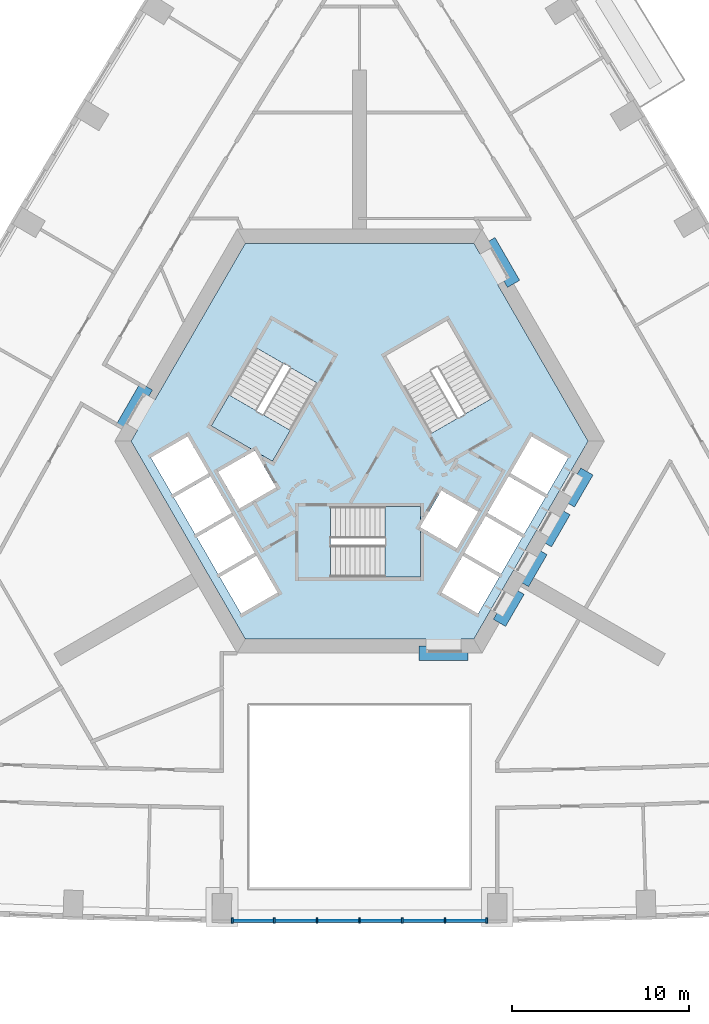
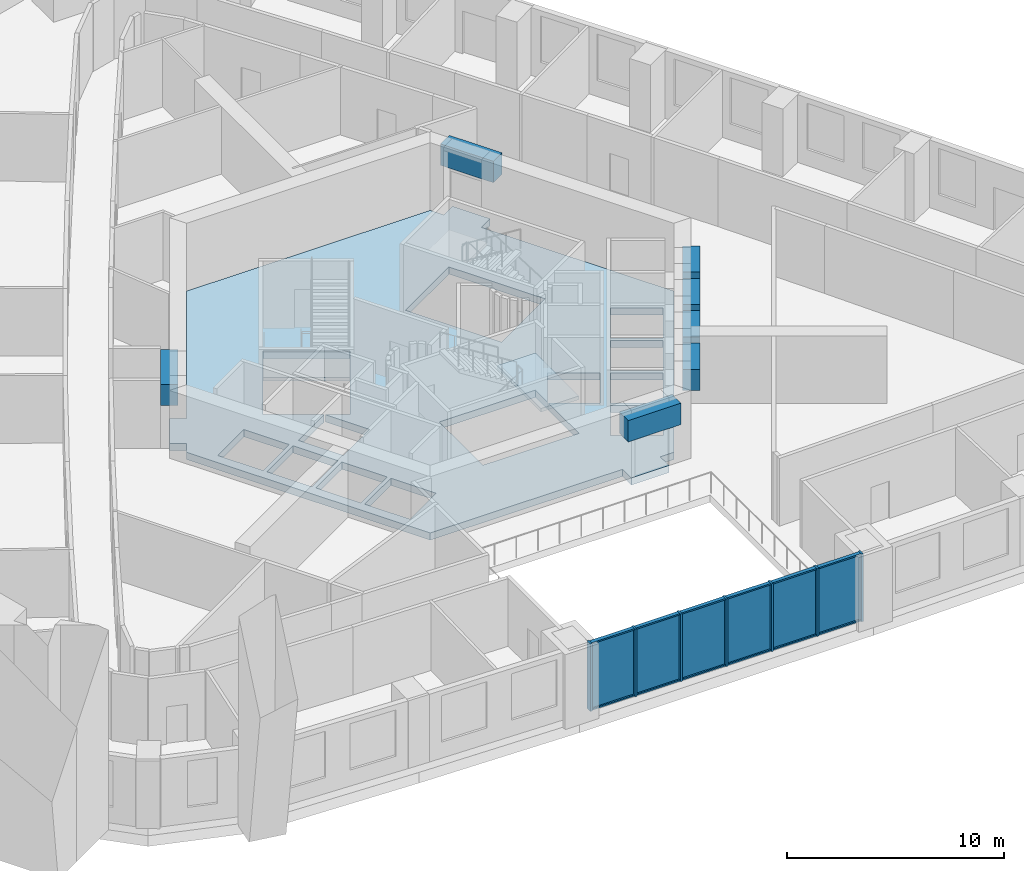
# One storey, part 2 of 15: 19 members, 7 beams, 6 plates, 3 slabs, 3 elements without a shape of their own.
"""IFC4 building model written with IfcOpenShell, lengths in metres."""

import ifcopenshell
import ifcopenshell.guid

model = None  # the IFC model being written
_history = None  # IfcOwnerHistory: only IFC2X3 demands one
_inside = {}  # id of a spatial element -> (the spatial element, [elements in it])
_under = {}  # id of a project, library or spatial element -> (it, [spatial elements below it])
_declared = {}  # id of a project -> (the project, [libraries it declares])
_typed = {}  # id of a type object -> (the type object, [elements of that type])
_made_of = {}  # id of a material, layer set ... -> (it, [elements and type objects made of it])


def new_model(schema):
    """Start an empty IFC model of exactly this schema.

    Asked for "IFC4X3", IfcOpenShell would pick the latest addendum, in which some entities
    have other attributes; the version numbers below select the first issue.
    IFC2X3 requires an IfcOwnerHistory on every rooted entity: one is made here for all.
    """
    global model, _history
    if schema == "IFC4X3":
        model = ifcopenshell.file(schema_version=(4, 3, 0, 0))
    else:
        model = ifcopenshell.file(schema=schema)
    _inside.clear()
    _under.clear()
    _declared.clear()
    _typed.clear()
    _made_of.clear()
    _history = None
    if model.schema == "IFC2X3":
        org = make("IfcOrganization", Name="unknown")
        user = make(
            "IfcPersonAndOrganization",
            ThePerson=make("IfcPerson", FamilyName="unknown"),
            TheOrganization=org,
        )
        app = make(
            "IfcApplication",
            ApplicationDeveloper=org,
            Version="unknown",
            ApplicationFullName="unknown",
            ApplicationIdentifier="unknown",
        )
        _history = make(
            "IfcOwnerHistory",
            OwningUser=user,
            OwningApplication=app,
            ChangeAction="ADDED",
            CreationDate=0,
        )
    return model


def make(cls, **values):
    """One entity of the class cls with the attributes given. An attribute that is None is left unset."""
    return model.create_entity(
        cls, **{name: value for name, value in values.items() if value is not None}
    )


def rooted(cls, **values):
    """An entity with a GlobalId (a new one), such as an element, a storey or a relation."""
    return make(cls, GlobalId=ifcopenshell.guid.new(), OwnerHistory=_history, **values)


def si_unit(unit_type, name, prefix=None):
    """IfcSIUnit, for example si_unit("LENGTHUNIT", "METRE", prefix="MILLI")."""
    return make("IfcSIUnit", UnitType=unit_type, Prefix=prefix, Name=name)


def assignment(units):
    """IfcUnitAssignment: the units of a project."""
    return None if units is None else make("IfcUnitAssignment", Units=units)


def point(xyz):
    """IfcCartesianPoint."""
    return None if xyz is None else make("IfcCartesianPoint", Coordinates=xyz)


def direction(xyz):
    """IfcDirection."""
    return None if xyz is None else make("IfcDirection", DirectionRatios=xyz)


def frame(location, z_axis=None, x_axis=None):
    """IfcAxis2Placement3D, a coordinate frame: its origin and axes. An axis left out is left unset."""
    return make(
        "IfcAxis2Placement3D",
        Location=point(location),
        Axis=direction(z_axis),
        RefDirection=direction(x_axis),
    )


def frame_2d(location, x_axis=None):
    """IfcAxis2Placement2D, a coordinate frame in the plane: its origin and x axis."""
    return make(
        "IfcAxis2Placement2D", Location=point(location), RefDirection=direction(x_axis)
    )


def origin():
    """The frame at (0, 0, 0) with its axes left unset."""
    return frame((0.0, 0.0, 0.0))


def origin_2d():
    """The frame at (0, 0) in the plane with its x axis left unset."""
    return frame_2d((0.0, 0.0))


def place(relative_to, where):
    """IfcLocalPlacement: puts the frame where relative to a parent placement (None: the world)."""
    return make(
        "IfcLocalPlacement", PlacementRelTo=relative_to, RelativePlacement=where
    )


def context(
    kind, dimensions, precision=None, world=None, true_north=None, identifier=None
):
    """IfcGeometricRepresentationContext, for example the 3D "Model" context."""
    return make(
        "IfcGeometricRepresentationContext",
        ContextIdentifier=identifier,
        ContextType=kind,
        CoordinateSpaceDimension=dimensions,
        Precision=precision,
        WorldCoordinateSystem=world,
        TrueNorth=true_north,
    )


def subcontext(parent, identifier, kind, view, scale=None):
    """IfcGeometricRepresentationSubContext, for example "Body" below "Model"."""
    return make(
        "IfcGeometricRepresentationSubContext",
        ContextIdentifier=identifier,
        ContextType=kind,
        ParentContext=parent,
        TargetScale=scale,
        TargetView=view,
    )


def project(units=None, contexts=None):
    """IfcProject with its units and contexts."""
    return rooted(
        "IfcProject",
        Name="project",
        RepresentationContexts=contexts,
        UnitsInContext=assignment(units),
    )


def spatial(cls, under=None, at=None, **own):
    """A site, building, storey or space (cls), placed at a placement, below another one or the project."""
    s = rooted(cls, ObjectPlacement=at, **own)
    if under is not None:
        _under.setdefault(under.id(), (under, []))[1].append(s)
    return s


def polyline(points):
    """IfcPolyline through the points."""
    return make("IfcPolyline", Points=[point(p) for p in points])


def profile(cls, at=None, kind="AREA", **sizes):
    """A parametric profile (cls). Its sizes go by their IFC names, for example OverallWidth=200.0."""
    return make(cls, ProfileType=kind, Position=at, **sizes)


def rectangle(**sizes):
    """IfcRectangleProfileDef."""
    return profile("IfcRectangleProfileDef", **sizes)


def outline(outer, holes=None, kind="AREA"):
    """IfcArbitraryClosedProfileDef: a profile drawn as a closed curve; with holes, ...WithVoids."""
    if holes is None:
        return make("IfcArbitraryClosedProfileDef", ProfileType=kind, OuterCurve=outer)
    return make(
        "IfcArbitraryProfileDefWithVoids",
        ProfileType=kind,
        OuterCurve=outer,
        InnerCurves=holes,
    )


def extrude(swept, where, along, depth):
    """IfcExtrudedAreaSolid: the profile swept, set in the frame where, extruded along a direction by depth."""
    return make(
        "IfcExtrudedAreaSolid",
        SweptArea=swept,
        Position=where,
        ExtrudedDirection=direction(along),
        Depth=depth,
    )


def shape(context_of_items, identifier, shape_type, items):
    """IfcShapeRepresentation: the items that make up one representation, for example the "Body"."""
    return make(
        "IfcShapeRepresentation",
        ContextOfItems=context_of_items,
        RepresentationIdentifier=identifier,
        RepresentationType=shape_type,
        Items=items,
    )


def material(Name=None, Category=None):
    """IfcMaterial."""
    return make("IfcMaterial", Name=Name, Category=Category)


def layer(
    of_material, thickness, ventilated=None, Name=None, Category=None, Priority=None
):
    """IfcMaterialLayer: one layer of a wall or slab, of a material (None: an air gap)."""
    return make(
        "IfcMaterialLayer",
        Material=of_material,
        LayerThickness=thickness,
        IsVentilated=ventilated,
        Name=Name,
        Category=Category,
        Priority=Priority,
    )


def layer_set(layers, Name=None):
    """IfcMaterialLayerSet."""
    return make("IfcMaterialLayerSet", MaterialLayers=layers, LayerSetName=Name)


def material_profile(
    of_material, cross_section, Name=None, Category=None, Priority=None
):
    """IfcMaterialProfile: a cross section and its material."""
    return make(
        "IfcMaterialProfile",
        Name=Name,
        Material=of_material,
        Profile=cross_section,
        Priority=Priority,
        Category=Category,
    )


def profile_set(profiles, Name=None, composite=None):
    """IfcMaterialProfileSet."""
    return make(
        "IfcMaterialProfileSet",
        Name=Name,
        MaterialProfiles=profiles,
        CompositeProfile=composite,
    )


def made_of(thing, what):
    """Note that an element or type object is made of a material, layer set ...; save() writes the relation."""
    if what is not None:
        _made_of.setdefault(what.id(), (what, []))[1].append(thing)
    return thing


def type_object(cls, material=None, **own):
    """A type object (cls), such as IfcWallType, which elements share."""
    return made_of(rooted(cls, **own), material)


def element(
    cls,
    number,
    at=None,
    inside=None,
    cuts=None,
    type_object=None,
    material=None,
    context=None,
    identifier="Body",
    shape_type=None,
    held_by="IfcProductDefinitionShape",
    body=None,
    shapes=None,
    **own,
):
    """One element of the class cls, such as IfcWall. Its Tag is "e" and its number.

    at: its placement. inside: the storey or other place that contains it. cuts: it is an
    opening in that element (IfcRelVoidsElement). A single representation is given by context,
    identifier, shape_type and body (its items); several are given by shapes. held_by: the class
    of the entity that holds the representations. save() writes the other relations.
    """
    e = rooted(cls, Tag="e%d" % number, ObjectPlacement=at, **own)
    if body is not None:
        shapes = [shape(context, identifier, shape_type, body)]
    if shapes is not None:
        e.Representation = make(held_by, Representations=shapes)
    if inside is not None:
        _inside.setdefault(inside.id(), (inside, []))[1].append(e)
    if cuts is not None:
        rooted(
            "IfcRelVoidsElement", RelatingBuildingElement=cuts, RelatedOpeningElement=e
        )
    if type_object is not None:
        _typed.setdefault(type_object.id(), (type_object, []))[1].append(e)
    return made_of(e, material)


def aggregate(whole, parts):
    """IfcRelAggregates: a whole, such as a stair, and the parts it consists of."""
    return rooted("IfcRelAggregates", RelatingObject=whole, RelatedObjects=parts)


def save(model, path):
    """Write the relations noted so far, then the file.

    IfcRelAggregates (storeys below a building ...), IfcRelContainedInSpatialStructure (elements
    in a storey), IfcRelDefinesByType, IfcRelAssociatesMaterial and IfcRelDeclares: one each for
    every whole, place, type object, material and project.
    """
    for whole, parts in _under.values():
        aggregate(whole, parts)
    for where, things in _inside.values():
        rooted(
            "IfcRelContainedInSpatialStructure",
            RelatedElements=things,
            RelatingStructure=where,
        )
    for kind, things in _typed.values():
        rooted("IfcRelDefinesByType", RelatedObjects=things, RelatingType=kind)
    for what, things in _made_of.values():
        rooted("IfcRelAssociatesMaterial", RelatedObjects=things, RelatingMaterial=what)
    for by, libraries in _declared.values():
        rooted("IfcRelDeclares", RelatingContext=by, RelatedDefinitions=libraries)
    model.write(path)


model = new_model("IFC4")

# Units and contexts
model_context = context("Model", 3, precision=1e-05, world=origin(), true_north=direction((0.0, 1.0)))
body_context = subcontext(model_context, "Body", "Model", "MODEL_VIEW")
ifc_project = project(units=[si_unit("LENGTHUNIT", "METRE"), si_unit("AREAUNIT", "SQUARE_METRE"), si_unit("VOLUMEUNIT", "CUBIC_METRE"), si_unit("PLANEANGLEUNIT", "RADIAN"), si_unit("MASSUNIT", "GRAM", prefix="KILO")], contexts=[model_context])

# Site, building, storey
site_placement = place(None, origin())
site = spatial("IfcSite", under=ifc_project, at=site_placement, CompositionType="ELEMENT")
building_placement = place(site_placement, origin())
building = spatial("IfcBuilding", under=site, at=building_placement, Name="Entoto Arch Interchange Tower", CompositionType="ELEMENT")
storey_placement = place(building_placement, frame((0.0, 0.0, 150.800048828125)))
storey = spatial("IfcBuildingStorey", under=building, at=storey_placement, Name="L33", CompositionType="ELEMENT", Elevation=150.800048828125)

# Beams
ifc_material_1 = material(Name="Concrete C50/60", Category="concrete")
ifc_material_profile_1 = material_profile(ifc_material_1, rectangle(XDim=0.800048828125, YDim=1.199951171875, at=origin_2d()))
ifc_profile_set_1 = profile_set([ifc_material_profile_1], Name="Concrete C50/60")
beam_type = type_object("IfcBeamType", Name="Coupling beam RC 800x1200 C50/60", PredefinedType="BEAM", material=ifc_profile_set_1)
for number, where, z_axis, x_axis, name in (
    (1, (8.717041015625, 11.402099609375, 3.0), (-0.500200581029, 0.865909567298, 0.0), (-0.865909567298, -0.500200581029, 0.0), "Coupling beam NE L33"),
    (2, (-12.06689453125, 5.597900390625, 3.0), (-0.500200581029, -0.865909567298, 0.0), (0.865909567298, -0.500200581029, 0.0), "Coupling beam NW L33"),
):
    element("IfcBeam", number, at=place(storey_placement, frame(where, z_axis=z_axis, x_axis=x_axis)), inside=storey, type_object=beam_type, Name=name, PredefinedType="BEAM", context=body_context, shape_type="SweptSolid", body=[
        extrude(rectangle(XDim=0.800048828125, YDim=1.199951171875, at=origin_2d()), origin(), (0.0, 0.0, 1.0), 2.799072265625),
    ])
beam_1_placement = place(storey_placement, frame((3.35009765625, -9.5, 3.0), z_axis=(1.0, 0.0, 0.0), x_axis=(0.0, 1.0, 0.0)))
element("IfcBeam", 3, at=beam_1_placement, inside=storey, type_object=beam_type, Name="Coupling beam S L33", PredefinedType="BEAM", context=body_context, shape_type="SweptSolid", body=[
    extrude(rectangle(XDim=0.800048828125, YDim=1.199951171875, at=origin_2d()), origin(), (0.0, 0.0, 1.0), 2.7998046875),
])
for number, where, z_axis, x_axis, name in (
    (4, (7.9169921875, -7.785888671875, 3.0), (0.500178781653, 0.865922159541, 0.0), (-0.865922159541, 0.500178781653, 0.0), "Coupling beam SE L33"),
    (5, (9.217041015625, -5.534912109375, 3.0), (0.500178781653, 0.865922159541, 0.0), (-0.865922159541, 0.500178781653, 0.0), "Coupling beam SE L33"),
):
    element("IfcBeam", number, at=place(storey_placement, frame(where, z_axis=z_axis, x_axis=x_axis)), inside=storey, type_object=beam_type, Name=name, PredefinedType="BEAM", context=body_context, shape_type="SweptSolid", body=[
        extrude(rectangle(XDim=0.800048828125, YDim=1.199951171875, at=origin_2d()), origin(), (0.0, 0.0, 1.0), 2.099365234375),
    ])
beam_2_placement = place(storey_placement, frame((10.51708984375, -3.282958984375, 3.0), z_axis=(0.500091574638, 0.865972526687, 0.0), x_axis=(-0.865972526687, 0.500091574638, 0.0)))
element("IfcBeam", 6, at=beam_2_placement, inside=storey, type_object=beam_type, Name="Coupling beam SE L33", PredefinedType="BEAM", context=body_context, shape_type="SweptSolid", body=[
    extrude(rectangle(XDim=0.800048828125, YDim=1.199951171875, at=origin_2d()), origin(), (0.0, 0.0, 1.0), 2.09912109375),
])
beam_3_placement = place(storey_placement, frame((11.81689453125, -1.031982421875, 3.0), z_axis=(0.500178781653, 0.865922159541, 0.0), x_axis=(-0.865922159541, 0.500178781653, 0.0)))
element("IfcBeam", 7, at=beam_3_placement, inside=storey, type_object=beam_type, Name="Coupling beam SE L33", PredefinedType="BEAM", context=body_context, shape_type="SweptSolid", body=[
    extrude(rectangle(XDim=0.800048828125, YDim=1.199951171875, at=origin_2d()), origin(), (0.0, 0.0, 1.0), 2.099365234375),
])

# Curtain wall, members
ifc_material_2 = material(Name="Aluminium, anodised", Category="aluminium")
curtain_wall_type = type_object("IfcCurtainWallType", Name="CURTAIN WALL ATRIUM", PredefinedType="NOTDEFINED", material=ifc_material_2)
curtain_wall_placement = place(storey_placement, origin())
curtain_wall = element("IfcCurtainWall", 8, at=curtain_wall_placement, inside=storey, type_object=curtain_wall_type, Name="Atrium glazing S-03 L33", PredefinedType="NOTDEFINED")
ifc_material_profile_2 = material_profile(ifc_material_2, rectangle(XDim=0.300048828125, YDim=0.10009765625, at=origin_2d()))
ifc_profile_set_2 = profile_set([ifc_material_profile_2], Name="Aluminium, anodised")
member_type_1 = type_object("IfcMemberType", Name="MULLION ATRIUM 100x300", PredefinedType="MULLION", material=ifc_profile_set_2)
member_1_placement = place(storey_placement, frame((-7.198974609375, -24.632080078125, 0.0), z_axis=(0.0, 0.0, 1.0), x_axis=(0.0, 1.0, 0.0)))
member_1 = element("IfcMember", 9, at=member_1_placement, type_object=member_type_1, Name="CWA mullion 1", PredefinedType="MULLION", context=body_context, shape_type="SweptSolid", body=[
    extrude(rectangle(XDim=0.300048828125, YDim=0.10009765625, at=origin_2d()), origin(), (0.0, 0.0, 1.0), 3.800048828125),
])
member_2_placement = place(storey_placement, frame((-4.832763671875, -24.632080078125, 0.0), z_axis=(0.0, 0.0, 1.0), x_axis=(0.0, 1.0, 0.0)))
member_2 = element("IfcMember", 10, at=member_2_placement, type_object=member_type_1, Name="CWA mullion 2", PredefinedType="MULLION", context=body_context, shape_type="SweptSolid", body=[
    extrude(rectangle(XDim=0.300048828125, YDim=0.10009765625, at=origin_2d()), origin(), (0.0, 0.0, 1.0), 3.800048828125),
])
member_3_placement = place(storey_placement, frame((-2.416259765625, -24.632080078125, 0.0), z_axis=(0.0, 0.0, 1.0), x_axis=(0.0, 1.0, 0.0)))
member_3 = element("IfcMember", 11, at=member_3_placement, type_object=member_type_1, Name="CWA mullion 3", PredefinedType="MULLION", context=body_context, shape_type="SweptSolid", body=[
    extrude(rectangle(XDim=0.300048828125, YDim=0.10009765625, at=origin_2d()), origin(), (0.0, 0.0, 1.0), 3.800048828125),
])
member_4_placement = place(storey_placement, frame((0.0, -24.632080078125, 0.0), z_axis=(0.0, 0.0, 1.0), x_axis=(0.0, 1.0, 0.0)))
member_4 = element("IfcMember", 12, at=member_4_placement, type_object=member_type_1, Name="CWA mullion 4", PredefinedType="MULLION", context=body_context, shape_type="SweptSolid", body=[
    extrude(rectangle(XDim=0.300048828125, YDim=0.10009765625, at=origin_2d()), origin(), (0.0, 0.0, 1.0), 3.800048828125),
])
member_5_placement = place(storey_placement, frame((2.416259765625, -24.632080078125, 0.0), z_axis=(0.0, 0.0, 1.0), x_axis=(0.0, 1.0, 0.0)))
member_5 = element("IfcMember", 13, at=member_5_placement, type_object=member_type_1, Name="CWA mullion 5", PredefinedType="MULLION", context=body_context, shape_type="SweptSolid", body=[
    extrude(rectangle(XDim=0.300048828125, YDim=0.10009765625, at=origin_2d()), origin(), (0.0, 0.0, 1.0), 3.800048828125),
])
member_6_placement = place(storey_placement, frame((4.832763671875, -24.632080078125, 0.0), z_axis=(0.0, 0.0, 1.0), x_axis=(0.0, 1.0, 0.0)))
member_6 = element("IfcMember", 14, at=member_6_placement, type_object=member_type_1, Name="CWA mullion 6", PredefinedType="MULLION", context=body_context, shape_type="SweptSolid", body=[
    extrude(rectangle(XDim=0.300048828125, YDim=0.10009765625, at=origin_2d()), origin(), (0.0, 0.0, 1.0), 3.800048828125),
])
member_7_placement = place(storey_placement, frame((7.198974609375, -24.632080078125, 0.0), z_axis=(0.0, 0.0, 1.0), x_axis=(0.0, 1.0, 0.0)))
member_7 = element("IfcMember", 15, at=member_7_placement, type_object=member_type_1, Name="CWA mullion 7", PredefinedType="MULLION", context=body_context, shape_type="SweptSolid", body=[
    extrude(rectangle(XDim=0.300048828125, YDim=0.10009765625, at=origin_2d()), origin(), (0.0, 0.0, 1.0), 3.800048828125),
])
ifc_material_profile_3 = material_profile(ifc_material_2, rectangle(XDim=0.199951171875, YDim=0.080078125, at=origin_2d()))
ifc_profile_set_3 = profile_set([ifc_material_profile_3], Name="Aluminium, anodised")
member_type_2 = type_object("IfcMemberType", Name="TRANSOM ATRIUM 80x200", PredefinedType="USERDEFINED", material=ifc_profile_set_3)
member_8_placement = place(storey_placement, frame((-7.14892578125, -24.632080078125, 0.0400390625), z_axis=(1.0, 0.0, 0.0), x_axis=(0.0, 1.0, 0.0)))
member_8 = element("IfcMember", 16, at=member_8_placement, type_object=member_type_2, Name="CWA transom 1.1", ObjectType="TRANSOM", PredefinedType="USERDEFINED", context=body_context, shape_type="SweptSolid", body=[
    extrude(rectangle(XDim=0.199951171875, YDim=0.080078125, at=origin_2d()), origin(), (0.0, 0.0, 1.0), 2.266357421875),
])
member_9_placement = place(storey_placement, frame((-7.14892578125, -24.632080078125, 3.760009765625), z_axis=(1.0, 0.0, 0.0), x_axis=(0.0, 1.0, 0.0)))
member_9 = element("IfcMember", 17, at=member_9_placement, type_object=member_type_2, Name="CWA transom 1.2", ObjectType="TRANSOM", PredefinedType="USERDEFINED", context=body_context, shape_type="SweptSolid", body=[
    extrude(rectangle(XDim=0.199951171875, YDim=0.080078125, at=origin_2d()), origin(), (0.0, 0.0, 1.0), 2.266357421875),
])
member_10_placement = place(storey_placement, frame((-4.78271484375, -24.632080078125, 0.0400390625), z_axis=(1.0, 0.0, 0.0), x_axis=(0.0, 1.0, 0.0)))
member_10 = element("IfcMember", 18, at=member_10_placement, type_object=member_type_2, Name="CWA transom 2.1", ObjectType="TRANSOM", PredefinedType="USERDEFINED", context=body_context, shape_type="SweptSolid", body=[
    extrude(rectangle(XDim=0.199951171875, YDim=0.080078125, at=origin_2d()), origin(), (0.0, 0.0, 1.0), 2.31640625),
])
member_11_placement = place(storey_placement, frame((-4.78271484375, -24.632080078125, 3.760009765625), z_axis=(1.0, 0.0, 0.0), x_axis=(0.0, 1.0, 0.0)))
member_11 = element("IfcMember", 19, at=member_11_placement, type_object=member_type_2, Name="CWA transom 2.2", ObjectType="TRANSOM", PredefinedType="USERDEFINED", context=body_context, shape_type="SweptSolid", body=[
    extrude(rectangle(XDim=0.199951171875, YDim=0.080078125, at=origin_2d()), origin(), (0.0, 0.0, 1.0), 2.31640625),
])
member_12_placement = place(storey_placement, frame((-2.366455078125, -24.632080078125, 0.0400390625), z_axis=(1.0, 0.0, 0.0), x_axis=(0.0, 1.0, 0.0)))
member_12 = element("IfcMember", 20, at=member_12_placement, type_object=member_type_2, Name="CWA transom 3.1", ObjectType="TRANSOM", PredefinedType="USERDEFINED", context=body_context, shape_type="SweptSolid", body=[
    extrude(rectangle(XDim=0.199951171875, YDim=0.080078125, at=origin_2d()), origin(), (0.0, 0.0, 1.0), 2.31640625),
])
member_13_placement = place(storey_placement, frame((-2.366455078125, -24.632080078125, 3.760009765625), z_axis=(1.0, 0.0, 0.0), x_axis=(0.0, 1.0, 0.0)))
member_13 = element("IfcMember", 21, at=member_13_placement, type_object=member_type_2, Name="CWA transom 3.2", ObjectType="TRANSOM", PredefinedType="USERDEFINED", context=body_context, shape_type="SweptSolid", body=[
    extrude(rectangle(XDim=0.199951171875, YDim=0.080078125, at=origin_2d()), origin(), (0.0, 0.0, 1.0), 2.31640625),
])
member_14_placement = place(storey_placement, frame((0.050048828125, -24.632080078125, 0.0400390625), z_axis=(1.0, 0.0, 0.0), x_axis=(0.0, 1.0, 0.0)))
member_14 = element("IfcMember", 22, at=member_14_placement, type_object=member_type_2, Name="CWA transom 4.1", ObjectType="TRANSOM", PredefinedType="USERDEFINED", context=body_context, shape_type="SweptSolid", body=[
    extrude(rectangle(XDim=0.199951171875, YDim=0.080078125, at=origin_2d()), origin(), (0.0, 0.0, 1.0), 2.31640625),
])
member_15_placement = place(storey_placement, frame((0.050048828125, -24.632080078125, 3.760009765625), z_axis=(1.0, 0.0, 0.0), x_axis=(0.0, 1.0, 0.0)))
member_15 = element("IfcMember", 23, at=member_15_placement, type_object=member_type_2, Name="CWA transom 4.2", ObjectType="TRANSOM", PredefinedType="USERDEFINED", context=body_context, shape_type="SweptSolid", body=[
    extrude(rectangle(XDim=0.199951171875, YDim=0.080078125, at=origin_2d()), origin(), (0.0, 0.0, 1.0), 2.31640625),
])
member_16_placement = place(storey_placement, frame((2.46630859375, -24.632080078125, 0.0400390625), z_axis=(1.0, 0.0, 0.0), x_axis=(0.0, 1.0, 0.0)))
member_16 = element("IfcMember", 24, at=member_16_placement, type_object=member_type_2, Name="CWA transom 5.1", ObjectType="TRANSOM", PredefinedType="USERDEFINED", context=body_context, shape_type="SweptSolid", body=[
    extrude(rectangle(XDim=0.199951171875, YDim=0.080078125, at=origin_2d()), origin(), (0.0, 0.0, 1.0), 2.31640625),
])
member_17_placement = place(storey_placement, frame((2.46630859375, -24.632080078125, 3.760009765625), z_axis=(1.0, 0.0, 0.0), x_axis=(0.0, 1.0, 0.0)))
member_17 = element("IfcMember", 25, at=member_17_placement, type_object=member_type_2, Name="CWA transom 5.2", ObjectType="TRANSOM", PredefinedType="USERDEFINED", context=body_context, shape_type="SweptSolid", body=[
    extrude(rectangle(XDim=0.199951171875, YDim=0.080078125, at=origin_2d()), origin(), (0.0, 0.0, 1.0), 2.31640625),
])
member_18_placement = place(storey_placement, frame((4.882568359375, -24.632080078125, 0.0400390625), z_axis=(1.0, 0.0, 0.0), x_axis=(0.0, 1.0, 0.0)))
member_18 = element("IfcMember", 26, at=member_18_placement, type_object=member_type_2, Name="CWA transom 6.1", ObjectType="TRANSOM", PredefinedType="USERDEFINED", context=body_context, shape_type="SweptSolid", body=[
    extrude(rectangle(XDim=0.199951171875, YDim=0.080078125, at=origin_2d()), origin(), (0.0, 0.0, 1.0), 2.266357421875),
])
member_19_placement = place(storey_placement, frame((4.882568359375, -24.632080078125, 3.760009765625), z_axis=(1.0, 0.0, 0.0), x_axis=(0.0, 1.0, 0.0)))
member_19 = element("IfcMember", 27, at=member_19_placement, type_object=member_type_2, Name="CWA transom 6.2", ObjectType="TRANSOM", PredefinedType="USERDEFINED", context=body_context, shape_type="SweptSolid", body=[
    extrude(rectangle(XDim=0.199951171875, YDim=0.080078125, at=origin_2d()), origin(), (0.0, 0.0, 1.0), 2.266357421875),
])

# Slab
ifc_material_3 = material(Name="Concrete C40/50", Category="concrete")
ifc_layer_1 = layer(ifc_material_3, 0.39990234375)
ifc_layer_set_1 = layer_set([ifc_layer_1], Name="Concrete C40/50")
slab_type_1 = type_object("IfcSlabType", Name="Core floor slab 400 C40/50", PredefinedType="FLOOR", material=ifc_layer_set_1)
slab_1_placement = place(storey_placement, frame((0.0, 0.0, -0.400146484375)))
element("IfcSlab", 28, at=slab_1_placement, inside=storey, type_object=slab_type_1, Name="Core floor slab L33", PredefinedType="FLOOR", context=body_context, shape_type="SweptSolid", body=[
    extrude(outline(polyline([(5.75, -9.5), (3.75, -9.5), (3.75, -8.699951171875), (-6.466064453125, -8.699951171875), (-12.93310546875, 2.5), (-12.574951171875, 3.1201171875), (-13.26708984375, 3.52001953125), (-12.26708984375, 5.251953125), (-11.574951171875, 4.85205078125), (-6.466064453125, 13.699951171875), (6.466064453125, 13.699951171875), (6.823974609375, 13.080078125), (7.51708984375, 13.47998046875), (8.51708984375, 11.748046875), (7.823974609375, 11.347900390625), (12.93310546875, 2.5), (6.466064453125, -8.699951171875), (5.75, -8.699951171875), (5.75, -9.5)]), holes=[polyline([(-5.837890625, -3.988037109375), (-7.916015625, -5.18798828125), (-6.716064453125, -7.26708984375), (-4.637939453125, -6.06689453125), (-5.837890625, -3.988037109375)]), polyline([(-5.93798828125, -3.81494140625), (-7.137939453125, -1.737060546875), (-9.216064453125, -2.93701171875), (-8.01611328125, -5.014892578125), (-5.93798828125, -3.81494140625)]), polyline([(5.5048828125, -3.56494140625), (6.705078125, -1.487060546875), (4.626953125, -0.287109375), (3.449951171875, -2.324951171875), (3.449951171875, -1.199951171875), (-1.64990234375, -1.199951171875), (-1.64990234375, -5.199951171875), (3.449951171875, -5.199951171875), (3.449951171875, -2.3779296875), (5.5048828125, -3.56494140625)]), polyline([(-8.43798828125, 0.514892578125), (-10.51611328125, -0.68505859375), (-9.31591796875, -2.762939453125), (-7.238037109375, -1.56298828125), (-8.43798828125, 0.514892578125)]), polyline([(-4.72705078125, -0.113037109375), (-5.904052734375, 1.925048828125), (-4.928955078125, 1.362060546875), (-2.37890625, 5.779052734375), (-5.843017578125, 7.779052734375), (-8.39306640625, 3.362060546875), (-5.949951171875, 1.951904296875), (-8.0048828125, 0.764892578125), (-6.804931640625, -1.31298828125), (-4.72705078125, -0.113037109375)]), polyline([(-8.5380859375, 0.68798828125), (-9.738037109375, 2.76708984375), (-11.81591796875, 1.56689453125), (-10.615966796875, -0.511962890625), (-8.5380859375, 0.68798828125)]), polyline([(5.837890625, -3.988037109375), (4.637939453125, -6.06689453125), (6.716064453125, -7.26708984375), (7.916015625, -5.18798828125), (5.837890625, -3.988037109375)]), polyline([(7.137939453125, -1.737060546875), (5.93798828125, -3.81494140625), (8.01611328125, -5.014892578125), (9.216064453125, -2.93701171875), (7.137939453125, -1.737060546875)]), polyline([(8.43798828125, 0.514892578125), (7.238037109375, -1.56298828125), (9.31591796875, -2.762939453125), (10.51611328125, -0.68505859375), (8.43798828125, 0.514892578125)]), polyline([(9.738037109375, 2.76708984375), (8.5380859375, 0.68798828125), (10.615966796875, -0.511962890625), (11.81591796875, 1.56689453125), (9.738037109375, 2.76708984375)]), polyline([(4.029052734375, 2.9208984375), (7.492919921875, 4.9208984375), (4.943115234375, 9.337890625), (1.47900390625, 7.337890625), (4.029052734375, 2.9208984375)])]), origin(), (0.0, 0.0, 1.0), 0.400146484375),
])

# Stair, slab
stair_type = type_object("IfcStairType", Name="EXIT STAIR RC 1800", PredefinedType="HALF_TURN_STAIR", material=ifc_material_3)
stair_1_placement = place(storey_placement, origin())
stair_1 = element("IfcStair", 29, at=stair_1_placement, inside=storey, type_object=stair_type, Name="L33 Exit stair S", PredefinedType="HALF_TURN_STAIR")
ifc_layer_2 = layer(ifc_material_3, 0.199951171875)
ifc_layer_set_2 = layer_set([ifc_layer_2], Name="Concrete C40/50")
slab_type_2 = type_object("IfcSlabType", Name="EXIT STAIR LANDING RC 200", PredefinedType="LANDING", material=ifc_layer_set_2)
slab_2_placement = place(storey_placement, frame((0.0, 0.0, 1.89990234375)))
slab_2 = element("IfcSlab", 30, at=slab_2_placement, type_object=slab_type_2, Name="ST-S landing 1", PredefinedType="LANDING", context=body_context, shape_type="SweptSolid", body=[
    extrude(outline(polyline([(1.429931640625, -5.199951171875), (3.449951171875, -5.199951171875), (3.449951171875, -1.199951171875), (1.429931640625, -1.199951171875), (1.429931640625, -5.199951171875)])), origin(), (0.0, 0.0, 1.0), 0.199951171875),
])
aggregate(stair_1, [slab_2])

stair_2_placement = place(storey_placement, origin())
stair_2 = element("IfcStair", 31, at=stair_2_placement, inside=storey, type_object=stair_type, Name="L33 Exit stair NW", PredefinedType="HALF_TURN_STAIR")
slab_3_placement = place(storey_placement, frame((0.0, 0.0, 1.89990234375)))
slab_3 = element("IfcSlab", 32, at=slab_3_placement, type_object=slab_type_2, Name="ST-NW landing 1", PredefinedType="LANDING", context=body_context, shape_type="SweptSolid", body=[
    extrude(outline(polyline([(-7.38330078125, 5.111572265625), (-8.393310546875, 3.3623046875), (-4.92919921875, 1.3623046875), (-3.919189453125, 3.111572265625), (-7.38330078125, 5.111572265625)])), origin(), (0.0, 0.0, 1.0), 0.199951171875),
])
aggregate(stair_2, [slab_3])

# Plate
ifc_material_4 = material(Name="Clear glass, low-e double glazed", Category="glass")
ifc_layer_3 = layer(ifc_material_4, 0.031982421875)
ifc_layer_set_3 = layer_set([ifc_layer_3], Name="Clear glass, low-e double glazed")
plate_type = type_object("IfcPlateType", Name="GLAZING PANEL ATRIUM 32", PredefinedType="CURTAIN_PANEL", material=ifc_layer_set_3)
plate_1_placement = place(storey_placement, frame((-6.015869140625, -24.632080078125, 0.080078125), z_axis=(0.0, 0.0, 1.0), x_axis=(1.0, 0.0, 0.0)))
plate_1 = element("IfcPlate", 33, at=plate_1_placement, type_object=plate_type, Name="CWA panel 1.1", PredefinedType="CURTAIN_PANEL", context=body_context, shape_type="SweptSolid", body=[
    extrude(rectangle(XDim=2.266357421875, YDim=0.031982421875, at=origin_2d()), origin(), (0.0, 0.0, 1.0), 3.639892578125),
])

plate_2_placement = place(storey_placement, frame((-3.62451171875, -24.632080078125, 0.080078125), z_axis=(0.0, 0.0, 1.0), x_axis=(1.0, 0.0, 0.0)))
plate_2 = element("IfcPlate", 34, at=plate_2_placement, type_object=plate_type, Name="CWA panel 2.1", PredefinedType="CURTAIN_PANEL", context=body_context, shape_type="SweptSolid", body=[
    extrude(rectangle(XDim=2.31640625, YDim=0.031982421875, at=origin_2d()), origin(), (0.0, 0.0, 1.0), 3.639892578125),
])

plate_3_placement = place(storey_placement, frame((-1.208251953125, -24.632080078125, 0.080078125), z_axis=(0.0, 0.0, 1.0), x_axis=(1.0, 0.0, 0.0)))
plate_3 = element("IfcPlate", 35, at=plate_3_placement, type_object=plate_type, Name="CWA panel 3.1", PredefinedType="CURTAIN_PANEL", context=body_context, shape_type="SweptSolid", body=[
    extrude(rectangle(XDim=2.31640625, YDim=0.031982421875, at=origin_2d()), origin(), (0.0, 0.0, 1.0), 3.639892578125),
])

plate_4_placement = place(storey_placement, frame((1.208251953125, -24.632080078125, 0.080078125), z_axis=(0.0, 0.0, 1.0), x_axis=(1.0, 0.0, 0.0)))
plate_4 = element("IfcPlate", 36, at=plate_4_placement, type_object=plate_type, Name="CWA panel 4.1", PredefinedType="CURTAIN_PANEL", context=body_context, shape_type="SweptSolid", body=[
    extrude(rectangle(XDim=2.31640625, YDim=0.031982421875, at=origin_2d()), origin(), (0.0, 0.0, 1.0), 3.639892578125),
])

plate_5_placement = place(storey_placement, frame((3.62451171875, -24.632080078125, 0.080078125), z_axis=(0.0, 0.0, 1.0), x_axis=(1.0, 0.0, 0.0)))
plate_5 = element("IfcPlate", 37, at=plate_5_placement, type_object=plate_type, Name="CWA panel 5.1", PredefinedType="CURTAIN_PANEL", context=body_context, shape_type="SweptSolid", body=[
    extrude(rectangle(XDim=2.31640625, YDim=0.031982421875, at=origin_2d()), origin(), (0.0, 0.0, 1.0), 3.639892578125),
])

plate_6_placement = place(storey_placement, frame((6.015869140625, -24.632080078125, 0.080078125), z_axis=(0.0, 0.0, 1.0), x_axis=(1.0, 0.0, 0.0)))
plate_6 = element("IfcPlate", 38, at=plate_6_placement, type_object=plate_type, Name="CWA panel 6.1", PredefinedType="CURTAIN_PANEL", context=body_context, shape_type="SweptSolid", body=[
    extrude(rectangle(XDim=2.266357421875, YDim=0.031982421875, at=origin_2d()), origin(), (0.0, 0.0, 1.0), 3.639892578125),
])

aggregate(curtain_wall, [member_1, member_2, member_3, member_4, member_5, member_6, member_7, member_8, member_9, plate_1, member_10, member_11, plate_2, member_12, member_13, plate_3, member_14, member_15, plate_4, member_16, member_17, plate_5, member_18, member_19, plate_6])

save(model, "model.ifc")
